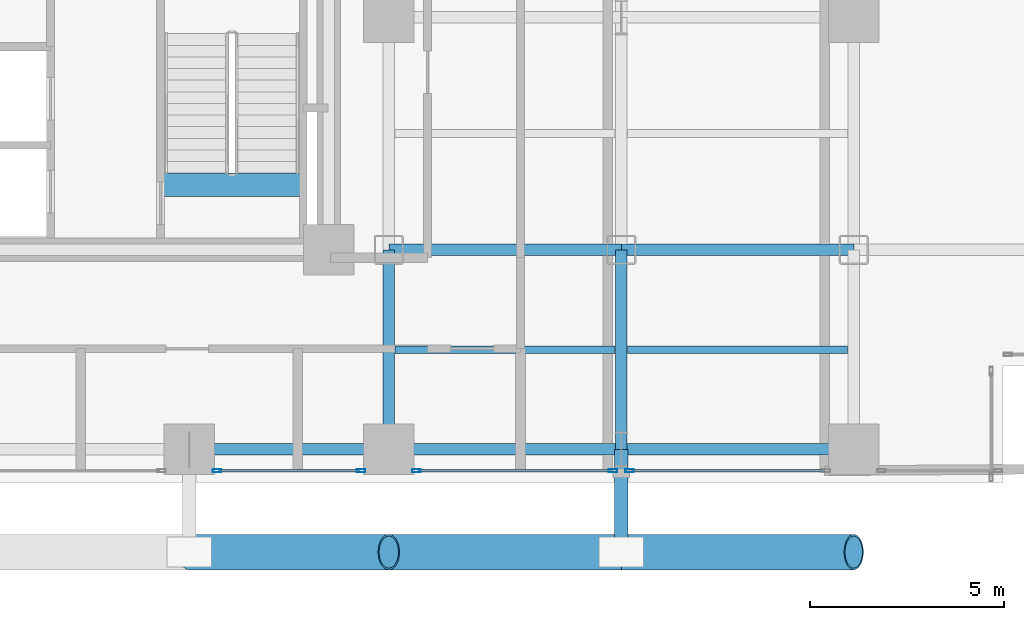
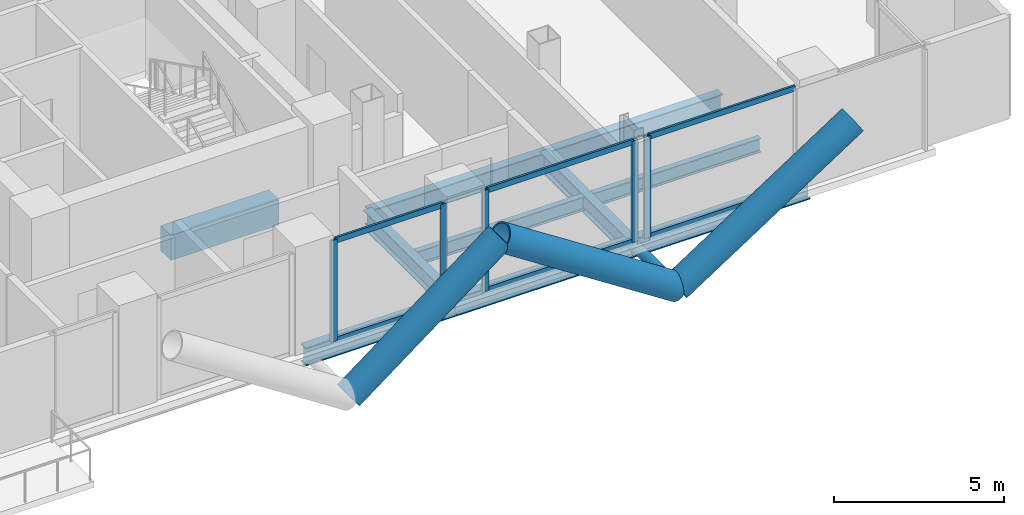
# One storey, part 8 of 25: 15 members, 10 beams, 3 elements without a shape of their own.
"""IFC4 building model written with IfcOpenShell, lengths in metres."""

from ifc_helpers import new_model, si_unit, direction, frame, origin, origin_2d, place, context, subcontext, project, spatial, rectangle, hollow_rectangle, hollow_circle, i_section, extrude, material, layer, layer_set, material_profile, profile_set, type_object, element, aggregate, save


model = new_model("IFC4")

# Units and contexts
model_context = context("Model", 3, precision=1e-05, world=origin(), true_north=direction((0.0, 1.0)))
body_context = subcontext(model_context, "Body", "Model", "MODEL_VIEW")
ifc_project = project(units=[si_unit("LENGTHUNIT", "METRE"), si_unit("AREAUNIT", "SQUARE_METRE"), si_unit("VOLUMEUNIT", "CUBIC_METRE"), si_unit("PLANEANGLEUNIT", "RADIAN"), si_unit("MASSUNIT", "GRAM", prefix="KILO"), si_unit("THERMODYNAMICTEMPERATUREUNIT", "KELVIN"), si_unit("POWERUNIT", "WATT")], contexts=[model_context])

# Site, building, storey
site_placement = place(None, origin())
site = spatial("IfcSite", under=ifc_project, at=site_placement, CompositionType="ELEMENT")
building_placement = place(site_placement, origin())
building = spatial("IfcBuilding", under=site, at=building_placement, Name="Svarakhadi Broadcast Tower", CompositionType="ELEMENT")
storey_placement = place(building_placement, frame((0.0, 0.0, 79.199951171875)))
storey = spatial("IfcBuildingStorey", under=building, at=storey_placement, Name="L18", CompositionType="ELEMENT", Elevation=79.199951171875)

# Beams
ifc_material_1 = material(Name="Steel S355J2 (IS 2062 E350C)", Category="steel")
ifc_material_profile_1 = material_profile(ifc_material_1, i_section(OverallWidth=0.199951171875, OverallDepth=0.5, WebThickness=0.01025390625, FlangeThickness=0.01611328125, FilletRadius=0.02099609375, at=origin_2d()), Name="NPB 500x200x91")
ifc_profile_set_1 = profile_set([ifc_material_profile_1], Name="Steel S355J2 (IS 2062 E350C)")
beam_type_1 = type_object("IfcBeamType", Name="Beam_NPB500", PredefinedType="BEAM", material=ifc_profile_set_1)
for number, where, z_axis, x_axis, name in (
    (1, (35.31005859375, 3.425048828125, -0.5), (1.0, 0.0, 0.0), (0.0, 1.0, 0.0), "L18 Secondary Composite Beam SB022"),
    (2, (41.31005859375, 3.425048828125, -0.5), (1.0, 0.0, 0.0), (0.0, 1.0, 0.0), "L18 Secondary Composite Beam SB025"),
):
    element("IfcBeam", number, at=place(storey_placement, frame(where, z_axis=z_axis, x_axis=x_axis)), inside=storey, type_object=beam_type_1, Name=name, PredefinedType="BEAM", context=body_context, shape_type="SweptSolid", body=[
        extrude(i_section(OverallWidth=0.199951171875, OverallDepth=0.5, WebThickness=0.01025390625, FlangeThickness=0.01611328125, FilletRadius=0.02099609375, at=origin_2d()), origin(), (0.0, 0.0, 1.0), 5.679931640625),
    ])

# Curtain wall, member
ifc_material_2 = material(Name="Anodised Bronze Aluminium AA 6063-T6", Category="aluminium")
ifc_layer = layer(ifc_material_2, 0.219970703125)
ifc_layer_set = layer_set([ifc_layer], Name="Anodised Bronze Aluminium AA 6063-T6")
curtain_wall_type = type_object("IfcCurtainWallType", Name="CW_Sys_02", PredefinedType="NOTDEFINED", material=ifc_layer_set)
curtain_wall_1_placement = place(storey_placement, origin())
curtain_wall_1 = element("IfcCurtainWall", 3, at=curtain_wall_1_placement, inside=storey, type_object=curtain_wall_type, Name="L18 South Curtain Wall 16 Bay 2", PredefinedType="NOTDEFINED")
ifc_material_profile_2 = material_profile(ifc_material_2, hollow_rectangle(XDim=0.0849609375, YDim=0.219970703125, WallThickness=0.006103515625, at=origin_2d()), Name="ALU MULLION 220x85x6")
ifc_profile_set_2 = profile_set([ifc_material_profile_2], Name="Anodised Bronze Aluminium AA 6063-T6")
member_type_1 = type_object("IfcMemberType", Name="CW_Sys_02_Mul", PredefinedType="MULLION", material=ifc_profile_set_2)
member_1_placement = place(storey_placement, frame((41.362548828125, 0.300048828125, 0.0), z_axis=(0.0, 0.0, 1.0), x_axis=(0.0, -1.0, 0.0)))
member_1 = element("IfcMember", 4, at=member_1_placement, type_object=member_type_1, Name="CW-02 mullion 2", PredefinedType="MULLION", context=body_context, shape_type="SweptSolid", body=[
    extrude(hollow_rectangle(XDim=0.0849609375, YDim=0.219970703125, WallThickness=0.006103515625, at=origin_2d()), origin(), (0.0, 0.0, 1.0), 3.650146484375),
])

# Curtain wall, members
curtain_wall_2_placement = place(storey_placement, origin())
curtain_wall_2 = element("IfcCurtainWall", 5, at=curtain_wall_2_placement, inside=storey, type_object=curtain_wall_type, Name="L18 South Curtain Wall 16 Bay 3", PredefinedType="NOTDEFINED")
member_2_placement = place(storey_placement, frame((40.9375, 0.300048828125, 0.0), z_axis=(0.0, 0.0, 1.0), x_axis=(0.0, -1.0, 0.0)))
member_2 = element("IfcMember", 6, at=member_2_placement, type_object=member_type_1, Name="CW-02 mullion 1", PredefinedType="MULLION", context=body_context, shape_type="SweptSolid", body=[
    extrude(hollow_rectangle(XDim=0.0849609375, YDim=0.219970703125, WallThickness=0.006103515625, at=origin_2d()), origin(), (0.0, 0.0, 1.0), 3.650146484375),
])
member_3_placement = place(storey_placement, frame((35.862548828125, 0.300048828125, 0.0), z_axis=(0.0, 0.0, 1.0), x_axis=(0.0, -1.0, 0.0)))
member_3 = element("IfcMember", 7, at=member_3_placement, type_object=member_type_1, Name="CW-02 mullion 2", PredefinedType="MULLION", context=body_context, shape_type="SweptSolid", body=[
    extrude(hollow_rectangle(XDim=0.0849609375, YDim=0.219970703125, WallThickness=0.006103515625, at=origin_2d()), origin(), (0.0, 0.0, 1.0), 3.650146484375),
])

curtain_wall_3_placement = place(storey_placement, origin())
curtain_wall_3 = element("IfcCurtainWall", 8, at=curtain_wall_3_placement, inside=storey, type_object=curtain_wall_type, Name="L18 South Curtain Wall 16 Bay 4", PredefinedType="NOTDEFINED")
member_4_placement = place(storey_placement, frame((34.4375, 0.300048828125, 0.0), z_axis=(0.0, 0.0, 1.0), x_axis=(0.0, -1.0, 0.0)))
member_4 = element("IfcMember", 9, at=member_4_placement, type_object=member_type_1, Name="CW-02 mullion 1", PredefinedType="MULLION", context=body_context, shape_type="SweptSolid", body=[
    extrude(hollow_rectangle(XDim=0.0849609375, YDim=0.219970703125, WallThickness=0.006103515625, at=origin_2d()), origin(), (0.0, 0.0, 1.0), 3.650146484375),
])
member_5_placement = place(storey_placement, frame((30.71240234375, 0.300048828125, 0.0), z_axis=(0.0, 0.0, 1.0), x_axis=(0.0, -1.0, 0.0)))
member_5 = element("IfcMember", 10, at=member_5_placement, type_object=member_type_1, Name="CW-02 mullion 2", PredefinedType="MULLION", context=body_context, shape_type="SweptSolid", body=[
    extrude(hollow_rectangle(XDim=0.0849609375, YDim=0.219970703125, WallThickness=0.006103515625, at=origin_2d()), origin(), (0.0, 0.0, 1.0), 3.650146484375),
])

# Member
ifc_material_profile_3 = material_profile(ifc_material_2, hollow_rectangle(XDim=0.074951171875, YDim=0.199951171875, WallThickness=0.0048828125, at=origin_2d()), Name="ALU TRANSOM 200x75x5")
ifc_profile_set_3 = profile_set([ifc_material_profile_3], Name="Anodised Bronze Aluminium AA 6063-T6")
member_type_2 = type_object("IfcMemberType", Name="CW_Sys_02_Trn", PredefinedType="USERDEFINED", material=ifc_profile_set_3)
member_6_placement = place(storey_placement, frame((46.39501953125, 0.300048828125, 0.03759765625), z_axis=(-1.0, 0.0, 0.0), x_axis=(0.0, -1.0, 0.0)))
member_6 = element("IfcMember", 11, at=member_6_placement, type_object=member_type_2, Name="CW-02 transom 1.1", ObjectType="TRANSOM", PredefinedType="USERDEFINED", context=body_context, shape_type="SweptSolid", body=[
    extrude(hollow_rectangle(XDim=0.074951171875, YDim=0.199951171875, WallThickness=0.0048828125, at=origin_2d()), origin(), (0.0, 0.0, 1.0), 4.989990234375),
])

member_7_placement = place(storey_placement, frame((46.39501953125, 0.300048828125, 3.612548828125), z_axis=(-1.0, 0.0, 0.0), x_axis=(0.0, -1.0, 0.0)))
member_7 = element("IfcMember", 12, at=member_7_placement, type_object=member_type_2, Name="CW-02 transom 1.2", ObjectType="TRANSOM", PredefinedType="USERDEFINED", context=body_context, shape_type="SweptSolid", body=[
    extrude(hollow_rectangle(XDim=0.074951171875, YDim=0.199951171875, WallThickness=0.0048828125, at=origin_2d()), origin(), (0.0, 0.0, 1.0), 4.989990234375),
])

aggregate(curtain_wall_1, [member_1, member_6, member_7])

member_8_placement = place(storey_placement, frame((40.89501953125, 0.300048828125, 0.03759765625), z_axis=(-1.0, 0.0, 0.0), x_axis=(0.0, -1.0, 0.0)))
member_8 = element("IfcMember", 13, at=member_8_placement, type_object=member_type_2, Name="CW-02 transom 1.1", ObjectType="TRANSOM", PredefinedType="USERDEFINED", context=body_context, shape_type="SweptSolid", body=[
    extrude(hollow_rectangle(XDim=0.074951171875, YDim=0.199951171875, WallThickness=0.0048828125, at=origin_2d()), origin(), (0.0, 0.0, 1.0), 4.989990234375),
])

member_9_placement = place(storey_placement, frame((40.89501953125, 0.300048828125, 3.612548828125), z_axis=(-1.0, 0.0, 0.0), x_axis=(0.0, -1.0, 0.0)))
member_9 = element("IfcMember", 14, at=member_9_placement, type_object=member_type_2, Name="CW-02 transom 1.2", ObjectType="TRANSOM", PredefinedType="USERDEFINED", context=body_context, shape_type="SweptSolid", body=[
    extrude(hollow_rectangle(XDim=0.074951171875, YDim=0.199951171875, WallThickness=0.0048828125, at=origin_2d()), origin(), (0.0, 0.0, 1.0), 4.989990234375),
])

aggregate(curtain_wall_2, [member_2, member_3, member_8, member_9])

member_10_placement = place(storey_placement, frame((34.39501953125, 0.300048828125, 0.03759765625), z_axis=(-1.0, 0.0, 0.0), x_axis=(0.0, -1.0, 0.0)))
member_10 = element("IfcMember", 15, at=member_10_placement, type_object=member_type_2, Name="CW-02 transom 1.1", ObjectType="TRANSOM", PredefinedType="USERDEFINED", context=body_context, shape_type="SweptSolid", body=[
    extrude(hollow_rectangle(XDim=0.074951171875, YDim=0.199951171875, WallThickness=0.0048828125, at=origin_2d()), origin(), (0.0, 0.0, 1.0), 3.64013671875),
])

member_11_placement = place(storey_placement, frame((34.39501953125, 0.300048828125, 3.612548828125), z_axis=(-1.0, 0.0, 0.0), x_axis=(0.0, -1.0, 0.0)))
member_11 = element("IfcMember", 16, at=member_11_placement, type_object=member_type_2, Name="CW-02 transom 1.2", ObjectType="TRANSOM", PredefinedType="USERDEFINED", context=body_context, shape_type="SweptSolid", body=[
    extrude(hollow_rectangle(XDim=0.074951171875, YDim=0.199951171875, WallThickness=0.0048828125, at=origin_2d()), origin(), (0.0, 0.0, 1.0), 3.64013671875),
])

aggregate(curtain_wall_3, [member_4, member_5, member_10, member_11])

# Beam
ifc_material_3 = material(Name="Concrete C50/60 (IS 456 M60)", Category="concrete")
ifc_material_profile_4 = material_profile(ifc_material_3, rectangle(XDim=0.60009765625, YDim=0.89990234375, at=origin_2d()), Name="RC 600x900")
ifc_profile_set_4 = profile_set([ifc_material_profile_4], Name="Concrete C50/60 (IS 456 M60)")
beam_type_2 = type_object("IfcBeamType", Name="Coupling_RC600", PredefinedType="USERDEFINED", material=ifc_profile_set_4)
beam_1_placement = place(storey_placement, frame((29.260009765625, 7.679931640625, -0.449951171875), z_axis=(1.0, 0.0, 0.0), x_axis=(0.0, 1.0, 0.0)))
element("IfcBeam", 17, at=beam_1_placement, inside=storey, type_object=beam_type_2, Name="L18 Stair ST-02 Landing Throat Trimmer Beam CB-01", ObjectType="GIRDER", PredefinedType="USERDEFINED", context=body_context, shape_type="SweptSolid", body=[
    extrude(rectangle(XDim=0.60009765625, YDim=0.89990234375, at=origin_2d()), origin(), (0.0, 0.0, 1.0), 3.679931640625),
])

# Members
ifc_material_4 = material(Name="Steel S460ML (IS 2062 E450BR)", Category="steel")
ifc_material_profile_5 = material_profile(ifc_material_4, hollow_circle(Radius=0.45703125, WallThickness=0.044921875, at=origin_2d()), Name="CHS 914x45")
ifc_profile_set_5 = profile_set([ifc_material_profile_5], Name="Steel S460ML (IS 2062 E450BR)")
member_type_3 = type_object("IfcMemberType", Name="Exo_Brace_CHS914", PredefinedType="BRACE", material=ifc_profile_set_5)
member_12_placement = place(storey_placement, frame((30.0, -1.800048828125, -0.427734375), z_axis=(0.797206791841, 0.0, 0.603706328476), x_axis=(0.0, 1.0, 0.0)))
element("IfcMember", 18, at=member_12_placement, inside=storey, type_object=member_type_3, Name="L18 Exposed Bronze Exoskeleton Diagonal S02", PredefinedType="BRACE", context=body_context, shape_type="SweptSolid", body=[
    extrude(hollow_circle(Radius=0.45703125, WallThickness=0.044921875, at=origin_2d()), origin(), (0.0, 0.0, 1.0), 6.4599609375),
])
for number, where, z_axis, x_axis, name in (
    (19, (41.14990234375, -1.800048828125, -0.427734375), (-0.838449851971, 0.0, 0.544978757136), (0.0, -1.0, 0.0), "L18 Exposed Bronze Exoskeleton Diagonal S03"),
    (20, (41.14990234375, -1.800048828125, -0.427734375), (0.838449851971, 0.0, 0.544978757136), (0.0, 1.0, 0.0), "L18 Exposed Bronze Exoskeleton Diagonal S04"),
):
    element("IfcMember", number, at=place(storey_placement, frame(where, z_axis=z_axis, x_axis=x_axis)), inside=storey, type_object=member_type_3, Name=name, PredefinedType="BRACE", context=body_context, shape_type="SweptSolid", body=[
        extrude(hollow_circle(Radius=0.45703125, WallThickness=0.044921875, at=origin_2d()), origin(), (0.0, 0.0, 1.0), 7.156005859375),
    ])
ifc_material_profile_6 = material_profile(ifc_material_4, hollow_circle(Radius=0.177734375, WallThickness=0.02001953125, at=origin_2d()), Name="CHS 355.6x20")
ifc_profile_set_6 = profile_set([ifc_material_profile_6], Name="Steel S460ML (IS 2062 E450BR)")
member_type_4 = type_object("IfcMemberType", Name="Exo_Radial_Strut_Z1", PredefinedType="STRUT", material=ifc_profile_set_6)
member_13_placement = place(storey_placement, frame((41.14990234375, -1.800048828125, -0.427734375), z_axis=(0.0, 1.0, 0.0), x_axis=(-1.0, 0.0, 0.0)))
element("IfcMember", 21, at=member_13_placement, inside=storey, type_object=member_type_4, Name="L18 Exoskeleton Radial Tie Strut S04", PredefinedType="STRUT", context=body_context, shape_type="SweptSolid", body=[
    extrude(hollow_circle(Radius=0.177734375, WallThickness=0.02001953125, at=origin_2d()), origin(), (0.0, 0.0, 1.0), 2.650146484375),
])

# Beams
ifc_material_profile_7 = material_profile(ifc_material_1, i_section(OverallWidth=0.300048828125, OverallDepth=0.64990234375, WebThickness=0.01611328125, FlangeThickness=0.031005859375, FilletRadius=0.027099609375, at=origin_2d()), Name="WPB 650x300x225")
ifc_profile_set_7 = profile_set([ifc_material_profile_7], Name="Steel S355J2 (IS 2062 E350C)")
beam_type_3 = type_object("IfcBeamType", Name="Girder_WPB650", PredefinedType="USERDEFINED", material=ifc_profile_set_7)
beam_2_placement = place(storey_placement, frame((30.0, 0.85009765625, -0.574951171875), z_axis=(1.0, 0.0, 0.0), x_axis=(0.0, 1.0, 0.0)))
element("IfcBeam", 22, at=beam_2_placement, inside=storey, type_object=beam_type_3, Name="L18 Primary E-W Girder G008", ObjectType="GIRDER", PredefinedType="USERDEFINED", context=body_context, shape_type="SweptSolid", body=[
    extrude(i_section(OverallWidth=0.300048828125, OverallDepth=0.64990234375, WebThickness=0.01611328125, FlangeThickness=0.031005859375, FilletRadius=0.027099609375, at=origin_2d()), origin(), (0.0, 0.0, 1.0), 5.14990234375),
])
for number, where, z_axis, x_axis, name in (
    (23, (35.14990234375, 0.85009765625, -0.574951171875), (1.0, 0.0, 0.0), (0.0, 1.0, 0.0), "L18 Primary E-W Girder G009"),
    (24, (41.14990234375, 0.85009765625, -0.574951171875), (1.0, 0.0, 0.0), (0.0, 1.0, 0.0), "L18 Primary E-W Girder G010"),
    (25, (35.14990234375, 6.0, -0.574951171875), (1.0, 0.0, 0.0), (0.0, 1.0, 0.0), "L18 Primary E-W Girder G016"),
    (26, (41.14990234375, 6.0, -0.574951171875), (1.0, 0.0, 0.0), (0.0, 1.0, 0.0), "L18 Primary E-W Girder G017"),
):
    element("IfcBeam", number, at=place(storey_placement, frame(where, z_axis=z_axis, x_axis=x_axis)), inside=storey, type_object=beam_type_3, Name=name, ObjectType="GIRDER", PredefinedType="USERDEFINED", context=body_context, shape_type="SweptSolid", body=[
        extrude(i_section(OverallWidth=0.300048828125, OverallDepth=0.64990234375, WebThickness=0.01611328125, FlangeThickness=0.031005859375, FilletRadius=0.027099609375, at=origin_2d()), origin(), (0.0, 0.0, 1.0), 6.0),
    ])
for number, where, z_axis, x_axis, name in (
    (27, (35.14990234375, 0.85009765625, -0.574951171875), (0.0, 1.0, 0.0), (-1.0, 0.0, 0.0), "L18 Primary N-S Girder G076"),
    (28, (41.14990234375, 0.85009765625, -0.574951171875), (0.0, 1.0, 0.0), (-1.0, 0.0, 0.0), "L18 Primary N-S Girder G079"),
):
    element("IfcBeam", number, at=place(storey_placement, frame(where, z_axis=z_axis, x_axis=x_axis)), inside=storey, type_object=beam_type_3, Name=name, ObjectType="GIRDER", PredefinedType="USERDEFINED", context=body_context, shape_type="SweptSolid", body=[
        extrude(i_section(OverallWidth=0.300048828125, OverallDepth=0.64990234375, WebThickness=0.01611328125, FlangeThickness=0.031005859375, FilletRadius=0.027099609375, at=origin_2d()), origin(), (0.0, 0.0, 1.0), 5.14990234375),
    ])

save(model, "model.ifc")
